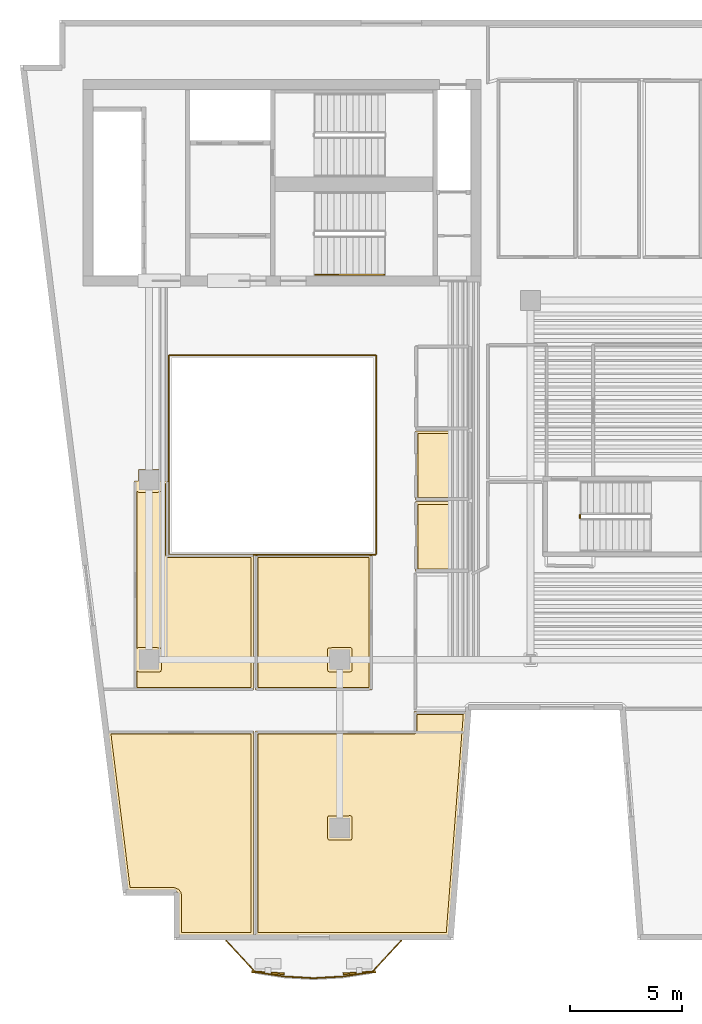
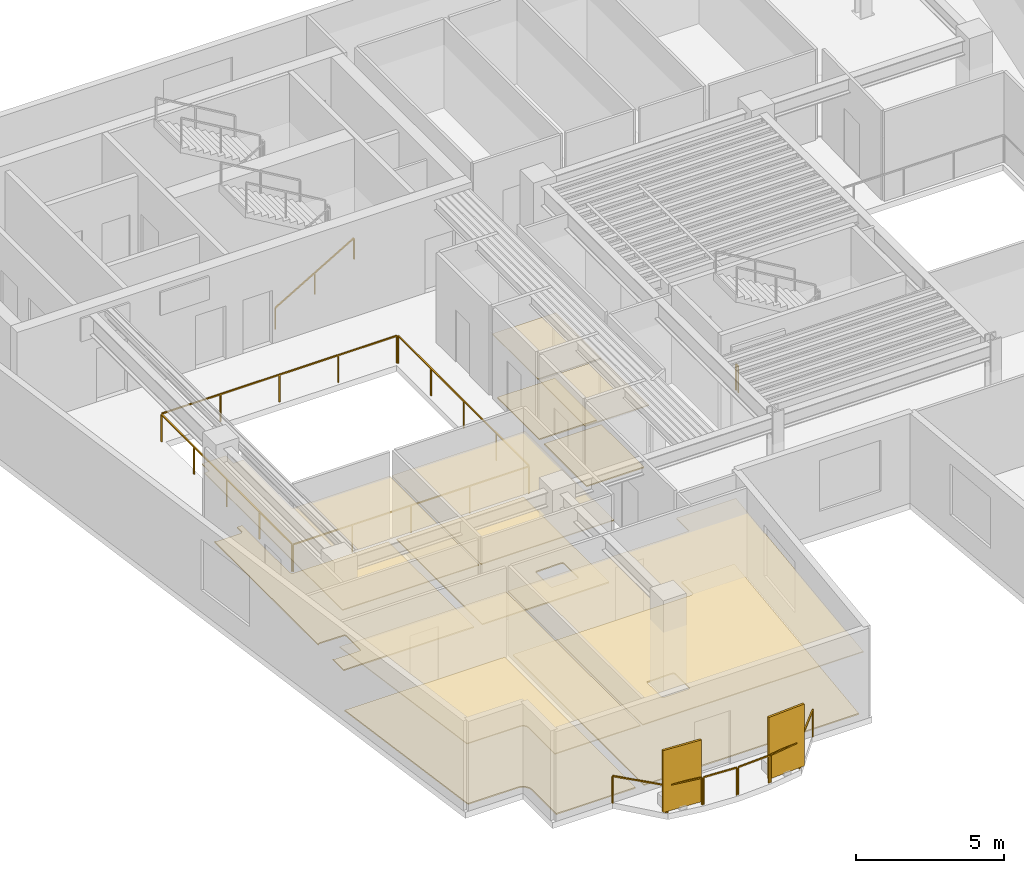
# One storey, part 7 of 9: 12 coverings, 12 railings, 2 shading devices.
"""IFC4 building model written with IfcOpenShell, lengths in metres."""

from ifc_helpers import new_model, si_unit, direction, frame, origin, origin_2d, place, context, subcontext, project, spatial, polyline, rectangle, outline, extrude, material, layer, layer_set, type_object, element, save


model = new_model("IFC4")

# Units and contexts
model_context = context("Model", 3, precision=1e-05, world=origin(), true_north=direction((0.0, 1.0)))
body_context = subcontext(model_context, "Body", "Model", "MODEL_VIEW")
ifc_project = project(units=[si_unit("LENGTHUNIT", "METRE"), si_unit("AREAUNIT", "SQUARE_METRE"), si_unit("VOLUMEUNIT", "CUBIC_METRE"), si_unit("PLANEANGLEUNIT", "RADIAN"), si_unit("MASSUNIT", "GRAM", prefix="KILO")], contexts=[model_context])

# Site, building, storey
site_placement = place(None, origin())
site = spatial("IfcSite", under=ifc_project, at=site_placement, CompositionType="ELEMENT")
building_placement = place(site_placement, origin())
building = spatial("IfcBuilding", under=site, at=building_placement, Name="Caeloran Harvest Quay", CompositionType="ELEMENT")
storey_placement = place(building_placement, frame((0.0, 0.0, 199.550048828125)))
storey = spatial("IfcBuildingStorey", under=building, at=storey_placement, Name="L47", CompositionType="ELEMENT", Elevation=199.550048828125)

# Coverings
ifc_material_1 = material(Name="Perforated Mineral-Fibre Acoustic Ceiling Tile", Category="ceiling")
ifc_layer_1 = layer(ifc_material_1, 0.0400390625, Name="Perforated Mineral-Fibre Acoustic Ceiling Tile")
ifc_layer_set_1 = layer_set([ifc_layer_1], Name="Perforated Mineral-Fibre Acoustic Ceiling Tile")
covering_type_1 = type_object("IfcCoveringType", Name="COV-CEILING-ACOUSTIC", PredefinedType="CEILING", material=ifc_layer_set_1)
covering_1_placement = place(storey_placement, frame((0.0, 0.0, 2.599853515625)))
element("IfcCovering", 1, at=covering_1_placement, inside=storey, type_object=covering_type_1, Name="L47 Female Washroom WC Acoustic Ceiling", PredefinedType="CEILING", context=body_context, shape_type="SweptSolid", body=[
    extrude(outline(polyline([(22.840087890625, 25.18994140625), (22.840087890625, 22.110107421875), (20.360107421875, 22.110107421875), (20.360107421875, 25.18994140625), (22.840087890625, 25.18994140625)])), origin(), (0.0, 0.0, 1.0), 0.0400390625),
])
covering_2_placement = place(storey_placement, frame((0.0, 0.0, 2.599853515625)))
element("IfcCovering", 2, at=covering_2_placement, inside=storey, type_object=covering_type_1, Name="L47 Accessible Unisex Washroom WC Acoustic Ceiling", PredefinedType="CEILING", context=body_context, shape_type="SweptSolid", body=[
    extrude(outline(polyline([(22.840087890625, 22.0400390625), (22.840087890625, 18.919921875), (20.360107421875, 18.919921875), (20.360107421875, 22.0400390625), (22.840087890625, 22.0400390625)])), origin(), (0.0, 0.0, 1.0), 0.0400390625),
])
covering_3_placement = place(storey_placement, frame((0.0, 0.0, 2.599853515625)))
element("IfcCovering", 3, at=covering_3_placement, inside=storey, type_object=covering_type_1, Name="Green-Bond Investment Office Acoustic Ceiling", PredefinedType="CEILING", context=body_context, shape_type="SweptSolid", body=[
    extrude(outline(polyline([(20.31005859375, 12.679931640625), (22.630859375, 12.679931640625), (21.853515625, 2.719970703125), (13.239990234375, 2.719970703125), (13.239990234375, 11.81005859375), (20.31005859375, 11.81005859375), (20.31005859375, 12.679931640625)])), origin(), (0.0, 0.0, 1.0), 0.0400390625),
])
covering_4_placement = place(storey_placement, frame((0.0, 0.0, 2.599853515625)))
element("IfcCovering", 4, at=covering_4_placement, inside=storey, type_object=covering_type_1, Name="ESG Carbon Desk Workspace Acoustic Ceiling", PredefinedType="CEILING", context=body_context, shape_type="SweptSolid", body=[
    extrude(outline(polyline([(9.80615234375, 4.584228515625), (9.742431640625, 4.669921875), (9.62451171875, 4.718994140625), (7.54833984375, 4.719970703125), (6.666015625, 11.81005859375), (13.159912109375, 11.81005859375), (13.159912109375, 2.719970703125), (9.822998046875, 2.719970703125), (9.822998046875, 4.4990234375), (9.80615234375, 4.584228515625)])), origin(), (0.0, 0.0, 1.0), 0.0400390625),
])
covering_5_placement = place(storey_placement, frame((0.0, 0.0, 2.599853515625)))
element("IfcCovering", 5, at=covering_5_placement, inside=storey, type_object=covering_type_1, Name="Executive Partner Office Acoustic Ceiling", PredefinedType="CEILING", context=body_context, shape_type="SweptSolid", body=[
    extrude(outline(polyline([(18.429931640625, 13.639892578125), (13.239990234375, 13.639892578125), (13.239990234375, 19.659912109375), (18.429931640625, 19.659912109375), (18.429931640625, 13.639892578125)])), origin(), (0.0, 0.0, 1.0), 0.0400390625),
])
covering_6_placement = place(storey_placement, frame((0.0, 0.0, 2.599853515625)))
element("IfcCovering", 6, at=covering_6_placement, inside=storey, type_object=covering_type_1, Name="Client Pitch Conference Room Acoustic Ceiling", PredefinedType="CEILING", context=body_context, shape_type="SweptSolid", body=[
    extrude(outline(polyline([(13.159912109375, 13.639892578125), (7.840087890625, 13.639892578125), (7.840087890625, 22.9599609375), (8.030029296875, 22.9599609375), (8.030029296875, 23.469970703125), (8.969970703125, 23.469970703125), (8.969970703125, 22.9599609375), (9.360107421875, 22.9599609375), (9.360107421875, 19.659912109375), (13.159912109375, 19.659912109375), (13.159912109375, 13.639892578125)])), origin(), (0.0, 0.0, 1.0), 0.0400390625),
])
ifc_material_2 = material(Name="Calcium-Sulphate Raised Access Floor and Terrazzo Finish", Category="flooring")
ifc_layer_2 = layer(ifc_material_2, 0.050048828125, Name="Calcium-Sulphate Raised Access Floor and Terrazzo Finish")
ifc_layer_set_2 = layer_set([ifc_layer_2], Name="Calcium-Sulphate Raised Access Floor and Terrazzo Finish")
covering_type_2 = type_object("IfcCoveringType", Name="COV-FLOOR-RAISED", PredefinedType="FLOORING", material=ifc_layer_set_2)
covering_7_placement = place(storey_placement, origin())
element("IfcCovering", 7, at=covering_7_placement, inside=storey, type_object=covering_type_2, Name="L47 Female Washroom WC Raised Finish Flooring", PredefinedType="FLOORING", context=body_context, shape_type="SweptSolid", body=[
    extrude(outline(polyline([(22.719970703125, 25.070068359375), (22.719970703125, 22.22998046875), (20.47998046875, 22.22998046875), (20.47998046875, 25.070068359375), (22.719970703125, 25.070068359375)])), origin(), (0.0, 0.0, 1.0), 0.050048828125),
])
covering_8_placement = place(storey_placement, origin())
element("IfcCovering", 8, at=covering_8_placement, inside=storey, type_object=covering_type_2, Name="L47 Accessible Unisex Washroom WC Raised Finish Flooring", PredefinedType="FLOORING", context=body_context, shape_type="SweptSolid", body=[
    extrude(outline(polyline([(22.719970703125, 21.919921875), (22.719970703125, 19.0400390625), (20.47998046875, 19.0400390625), (20.47998046875, 21.919921875), (22.719970703125, 21.919921875)])), origin(), (0.0, 0.0, 1.0), 0.050048828125),
])
covering_9_placement = place(storey_placement, origin())
element("IfcCovering", 9, at=covering_9_placement, inside=storey, type_object=covering_type_2, Name="Green-Bond Investment Office Raised Finish Flooring", PredefinedType="FLOORING", context=body_context, shape_type="SweptSolid", body=[
    extrude(outline(polyline([(20.34814453125, 11.693603515625), (20.402587890625, 11.727294921875), (20.4296875, 11.793212890625), (20.429931640625, 12.56005859375), (22.501220703125, 12.56005859375), (21.742431640625, 2.840087890625), (13.360107421875, 2.840087890625), (13.360107421875, 11.68994140625), (20.34814453125, 11.693603515625)]), holes=[polyline([(17.465087890625, 8.044921875), (16.484130859375, 8.02685546875), (16.455322265625, 7.972900390625), (16.455078125, 7.034912109375), (16.478515625, 6.978515625), (16.534912109375, 6.955078125), (17.465087890625, 6.955078125), (17.521484375, 6.978515625), (17.544921875, 7.034912109375), (17.544921875, 7.965087890625), (17.521484375, 8.021484375), (17.465087890625, 8.044921875)])]), origin(), (0.0, 0.0, 1.0), 0.050048828125),
])
covering_10_placement = place(storey_placement, origin())
element("IfcCovering", 10, at=covering_10_placement, inside=storey, type_object=covering_type_2, Name="ESG Carbon Desk Workspace Raised Finish Flooring", PredefinedType="FLOORING", context=body_context, shape_type="SweptSolid", body=[
    extrude(outline(polyline([(9.91845703125, 4.62646484375), (9.815673828125, 4.76513671875), (9.63232421875, 4.838623046875), (7.654296875, 4.840087890625), (6.8017578125, 11.68994140625), (13.0400390625, 11.68994140625), (13.0400390625, 2.840087890625), (9.943115234375, 2.840087890625), (9.943115234375, 4.5), (9.91845703125, 4.62646484375)])), origin(), (0.0, 0.0, 1.0), 0.050048828125),
])
covering_11_placement = place(storey_placement, origin())
element("IfcCovering", 11, at=covering_11_placement, inside=storey, type_object=covering_type_2, Name="Executive Partner Office Raised Finish Flooring", PredefinedType="FLOORING", context=body_context, shape_type="SweptSolid", body=[
    extrude(outline(polyline([(18.31005859375, 19.5400390625), (18.31005859375, 13.760009765625), (13.360107421875, 13.760009765625), (13.360107421875, 19.5400390625), (18.31005859375, 19.5400390625)]), holes=[polyline([(17.465087890625, 15.544921875), (16.484130859375, 15.52685546875), (16.455322265625, 15.472900390625), (16.455078125, 14.534912109375), (16.478515625, 14.478515625), (16.534912109375, 14.455078125), (17.465087890625, 14.455078125), (17.521484375, 14.478515625), (17.544921875, 14.534912109375), (17.544921875, 15.465087890625), (17.521484375, 15.521484375), (17.465087890625, 15.544921875)])]), origin(), (0.0, 0.0, 1.0), 0.050048828125),
])
covering_12_placement = place(storey_placement, origin())
element("IfcCovering", 12, at=covering_12_placement, inside=storey, type_object=covering_type_2, Name="Client Pitch Conference Room Raised Finish Flooring", PredefinedType="FLOORING", context=body_context, shape_type="SweptSolid", body=[
    extrude(outline(polyline([(7.9599609375, 14.50732421875), (8.027099609375, 14.455322265625), (8.965087890625, 14.455078125), (9.021484375, 14.478515625), (9.044921875, 14.534912109375), (9.044921875, 15.465087890625), (9.015869140625, 15.52685546875), (8.034912109375, 15.544921875), (7.9599609375, 15.49267578125), (7.9599609375, 22.50732421875), (8.034912109375, 22.455078125), (8.98828125, 22.45849609375), (9.04345703125, 22.519287109375), (9.044921875, 22.840087890625), (9.239990234375, 22.840087890625), (9.239990234375, 19.64990234375), (9.277099609375, 19.5673828125), (9.35009765625, 19.5400390625), (13.0400390625, 19.5400390625), (13.0400390625, 13.760009765625), (7.9599609375, 13.760009765625), (7.9599609375, 14.50732421875)])), origin(), (0.0, 0.0, 1.0), 0.050048828125),
])

# Railings
ifc_material_3 = material(Name="Powder-Coated Steel Post and Laminated Glass Guardrail", Category="steel")
ifc_layer_3 = layer(ifc_material_3, 0.06005859375, Name="Powder-Coated Steel Post and Laminated Glass Guardrail")
ifc_layer_set_3 = layer_set([ifc_layer_3], Name="Powder-Coated Steel Post and Laminated Glass Guardrail")
railing_type_1 = type_object("IfcRailingType", Name="GUARD-ATRIUM-1150", PredefinedType="GUARDRAIL", material=ifc_layer_set_3)
railing_1_placement = place(storey_placement, frame((9.412109375, 19.679931640625, 0.0)))
element("IfcRailing", 13, at=railing_1_placement, inside=storey, type_object=railing_type_1, Name="L47 Skylit Atrium Void Perimeter Guardrail Seg 1", PredefinedType="GUARDRAIL", context=body_context, shape_type="SweptSolid", body=[
    extrude(rectangle(XDim=0.048095703125, YDim=0.048095703125, at=origin_2d()), frame((0.0, 0.0, 1.1259765625), z_axis=(1.0, 0.0, 0.0), x_axis=(0.0, 1.0, 0.0)), (0.0, 0.0, 1.0), 9.17578125),
    extrude(rectangle(XDim=0.0419921875, YDim=0.0419921875, at=origin_2d()), origin(), (0.0, 0.0, 1.0), 1.101806640625),
    extrude(rectangle(XDim=0.0419921875, YDim=0.0419921875, at=origin_2d()), frame((2.2939453125, 0.0, 0.0)), (0.0, 0.0, 1.0), 1.101806640625),
    extrude(rectangle(XDim=0.0419921875, YDim=0.0419921875, at=origin_2d()), frame((4.587890625, 0.0, 0.0)), (0.0, 0.0, 1.0), 1.101806640625),
    extrude(rectangle(XDim=0.0419921875, YDim=0.0419921875, at=origin_2d()), frame((6.8818359375, 0.0, 0.0)), (0.0, 0.0, 1.0), 1.101806640625),
    extrude(rectangle(XDim=0.0419921875, YDim=0.0419921875, at=origin_2d()), frame((9.17578125, 0.0, 0.0)), (0.0, 0.0, 1.0), 1.101806640625),
])
railing_2_placement = place(storey_placement, frame((18.6201171875, 19.7119140625, 0.0)))
element("IfcRailing", 14, at=railing_2_placement, inside=storey, type_object=railing_type_1, Name="L47 Skylit Atrium Void Perimeter Guardrail Seg 2", PredefinedType="GUARDRAIL", context=body_context, shape_type="SweptSolid", body=[
    extrude(rectangle(XDim=0.048095703125, YDim=0.048095703125, at=origin_2d()), frame((0.0, 0.0, 1.1259765625), z_axis=(0.0, 1.0, 0.0), x_axis=(-1.0, 0.0, 0.0)), (0.0, 0.0, 1.0), 8.826171875),
    extrude(rectangle(XDim=0.0419921875, YDim=0.0419921875, at=origin_2d()), origin(), (0.0, 0.0, 1.0), 1.101806640625),
    extrude(rectangle(XDim=0.0419921875, YDim=0.0419921875, at=origin_2d()), frame((0.0, 2.20654296875, 0.0)), (0.0, 0.0, 1.0), 1.101806640625),
    extrude(rectangle(XDim=0.0419921875, YDim=0.0419921875, at=origin_2d()), frame((0.0, 4.4130859375, 0.0)), (0.0, 0.0, 1.0), 1.101806640625),
    extrude(rectangle(XDim=0.0419921875, YDim=0.0419921875, at=origin_2d()), frame((0.0, 6.61962890625, 0.0)), (0.0, 0.0, 1.0), 1.101806640625),
    extrude(rectangle(XDim=0.0419921875, YDim=0.0419921875, at=origin_2d()), frame((0.0, 8.826171875, 0.0)), (0.0, 0.0, 1.0), 1.101806640625),
])
railing_3_placement = place(storey_placement, frame((18.587890625, 28.570068359375, 0.0)))
element("IfcRailing", 15, at=railing_3_placement, inside=storey, type_object=railing_type_1, Name="L47 Skylit Atrium Void Perimeter Guardrail Seg 3", PredefinedType="GUARDRAIL", context=body_context, shape_type="SweptSolid", body=[
    extrude(rectangle(XDim=0.048095703125, YDim=0.048095703125, at=origin_2d()), frame((0.0, 0.0, 1.1259765625), z_axis=(-1.0, 0.0, 0.0), x_axis=(0.0, -1.0, 0.0)), (0.0, 0.0, 1.0), 9.17578125),
    extrude(rectangle(XDim=0.0419921875, YDim=0.0419921875, at=origin_2d()), origin(), (0.0, 0.0, 1.0), 1.101806640625),
    extrude(rectangle(XDim=0.0419921875, YDim=0.0419921875, at=origin_2d()), frame((-2.2939453125, 0.0, 0.0)), (0.0, 0.0, 1.0), 1.101806640625),
    extrude(rectangle(XDim=0.0419921875, YDim=0.0419921875, at=origin_2d()), frame((-4.587890625, 0.0, 0.0)), (0.0, 0.0, 1.0), 1.101806640625),
    extrude(rectangle(XDim=0.0419921875, YDim=0.0419921875, at=origin_2d()), frame((-6.8818359375, 0.0, 0.0)), (0.0, 0.0, 1.0), 1.101806640625),
    extrude(rectangle(XDim=0.0419921875, YDim=0.0419921875, at=origin_2d()), frame((-9.17578125, 0.0, 0.0)), (0.0, 0.0, 1.0), 1.101806640625),
])
railing_4_placement = place(storey_placement, frame((9.3798828125, 28.5380859375, 0.0)))
element("IfcRailing", 16, at=railing_4_placement, inside=storey, type_object=railing_type_1, Name="L47 Skylit Atrium Void Perimeter Guardrail Seg 4", PredefinedType="GUARDRAIL", context=body_context, shape_type="SweptSolid", body=[
    extrude(rectangle(XDim=0.048095703125, YDim=0.048095703125, at=origin_2d()), frame((0.0, 0.0, 1.1259765625), z_axis=(0.0, -1.0, 0.0), x_axis=(1.0, 0.0, 0.0)), (0.0, 0.0, 1.0), 8.826171875),
    extrude(rectangle(XDim=0.0419921875, YDim=0.0419921875, at=origin_2d()), origin(), (0.0, 0.0, 1.0), 1.101806640625),
    extrude(rectangle(XDim=0.0419921875, YDim=0.0419921875, at=origin_2d()), frame((0.0, -2.20654296875, 0.0)), (0.0, 0.0, 1.0), 1.101806640625),
    extrude(rectangle(XDim=0.0419921875, YDim=0.0419921875, at=origin_2d()), frame((0.0, -4.4130859375, 0.0)), (0.0, 0.0, 1.0), 1.101806640625),
    extrude(rectangle(XDim=0.0419921875, YDim=0.0419921875, at=origin_2d()), frame((0.0, -6.61962890625, 0.0)), (0.0, 0.0, 1.0), 1.101806640625),
    extrude(rectangle(XDim=0.0419921875, YDim=0.0419921875, at=origin_2d()), frame((0.0, -8.826171875, 0.0)), (0.0, 0.0, 1.0), 1.101806640625),
])
ifc_material_4 = material(Name="Laminated Safety Glass and Stainless Steel 316", Category="steel")
ifc_layer_4 = layer(ifc_material_4, 0.06005859375, Name="Laminated Safety Glass and Stainless Steel 316")
ifc_layer_set_4 = layer_set([ifc_layer_4], Name="Laminated Safety Glass and Stainless Steel 316")
railing_type_2 = type_object("IfcRailingType", Name="GUARD-BALUSTRADE-1150", PredefinedType="BALUSTRADE", material=ifc_layer_set_4)
railing_5_placement = place(storey_placement, frame((19.73974609375, 2.47998046875, 0.0)))
element("IfcRailing", 17, at=railing_5_placement, inside=storey, type_object=railing_type_2, Name="L47 Planted Balcony Perimeter Balustrade Guard Seg 1", PredefinedType="BALUSTRADE", context=body_context, shape_type="SweptSolid", body=[
    extrude(rectangle(XDim=0.048095703125, YDim=0.048095703125, at=origin_2d()), frame((0.0, 0.0, 1.1259765625), z_axis=(-0.681632266254, -0.731694918392, 0.0), x_axis=(0.731694918392, -0.681632266254, 0.0)), (0.0, 0.0, 1.0), 1.87744140625),
    extrude(rectangle(XDim=0.0419921875, YDim=0.0419921875, at=origin_2d()), origin(), (0.0, 0.0, 1.0), 1.101806640625),
    extrude(rectangle(XDim=0.0419921875, YDim=0.0419921875, at=origin_2d()), frame((-1.27978515625, -1.373779296875, 0.0)), (0.0, 0.0, 1.0), 1.101806640625),
])
railing_6_placement = place(storey_placement, frame((18.406494140625, 1.077880859375, 0.0)))
element("IfcRailing", 18, at=railing_6_placement, inside=storey, type_object=railing_type_2, Name="L47 Planted Balcony Perimeter Balustrade Guard Seg 2", PredefinedType="BALUSTRADE", context=body_context, shape_type="SweptSolid", body=[
    extrude(rectangle(XDim=0.048095703125, YDim=0.048095703125, at=origin_2d()), frame((0.0, 0.0, 1.1259765625), z_axis=(-0.988056562132, -0.154091628676, 0.0), x_axis=(0.154091628676, -0.988056562132, 0.0)), (0.0, 0.0, 1.0), 1.253173828125),
    extrude(rectangle(XDim=0.0419921875, YDim=0.0419921875, at=origin_2d()), origin(), (0.0, 0.0, 1.0), 1.101806640625),
    extrude(rectangle(XDim=0.0419921875, YDim=0.0419921875, at=origin_2d()), frame((-1.23828125, -0.193115234375, 0.0)), (0.0, 0.0, 1.0), 1.101806640625),
])
railing_7_placement = place(storey_placement, frame((17.1044921875, 0.878173828125, 0.0)))
element("IfcRailing", 19, at=railing_7_placement, inside=storey, type_object=railing_type_2, Name="L47 Planted Balcony Perimeter Balustrade Guard Seg 3", PredefinedType="BALUSTRADE", context=body_context, shape_type="SweptSolid", body=[
    extrude(rectangle(XDim=0.048095703125, YDim=0.048095703125, at=origin_2d()), frame((0.0, 0.0, 1.1259765625), z_axis=(-0.998379335931, -0.056909591338, 0.0), x_axis=(0.056909591338, -0.998379335931, 0.0)), (0.0, 0.0, 1.0), 1.23974609375),
    extrude(rectangle(XDim=0.0419921875, YDim=0.0419921875, at=origin_2d()), origin(), (0.0, 0.0, 1.0), 1.101806640625),
    extrude(rectangle(XDim=0.0419921875, YDim=0.0419921875, at=origin_2d()), frame((-1.23779296875, -0.070556640625, 0.0)), (0.0, 0.0, 1.0), 1.101806640625),
])
railing_8_placement = place(storey_placement, frame((15.802978515625, 0.8076171875, 0.0)))
element("IfcRailing", 20, at=railing_8_placement, inside=storey, type_object=railing_type_2, Name="L47 Planted Balcony Perimeter Balustrade Guard Seg 4", PredefinedType="BALUSTRADE", context=body_context, shape_type="SweptSolid", body=[
    extrude(rectangle(XDim=0.048095703125, YDim=0.048095703125, at=origin_2d()), frame((0.0, 0.0, 1.1259765625), z_axis=(-0.998379973505, 0.056898405116, 0.0), x_axis=(-0.056898405116, -0.998379973505, 0.0)), (0.0, 0.0, 1.0), 1.239990234375),
    extrude(rectangle(XDim=0.0419921875, YDim=0.0419921875, at=origin_2d()), origin(), (0.0, 0.0, 1.0), 1.101806640625),
    extrude(rectangle(XDim=0.0419921875, YDim=0.0419921875, at=origin_2d()), frame((-1.238037109375, 0.070556640625, 0.0)), (0.0, 0.0, 1.0), 1.101806640625),
])
railing_9_placement = place(storey_placement, frame((14.50146484375, 0.884765625, 0.0)))
element("IfcRailing", 21, at=railing_9_placement, inside=storey, type_object=railing_type_2, Name="L47 Planted Balcony Perimeter Balustrade Guard Seg 5", PredefinedType="BALUSTRADE", context=body_context, shape_type="SweptSolid", body=[
    extrude(rectangle(XDim=0.048095703125, YDim=0.048095703125, at=origin_2d()), frame((0.0, 0.0, 1.1259765625), z_axis=(-0.988056562132, 0.154091628676, 0.0), x_axis=(-0.154091628676, -0.988056562132, 0.0)), (0.0, 0.0, 1.0), 1.253173828125),
    extrude(rectangle(XDim=0.0419921875, YDim=0.0419921875, at=origin_2d()), origin(), (0.0, 0.0, 1.0), 1.101806640625),
    extrude(rectangle(XDim=0.0419921875, YDim=0.0419921875, at=origin_2d()), frame((-1.23828125, 0.193115234375, 0.0)), (0.0, 0.0, 1.0), 1.101806640625),
])
railing_10_placement = place(storey_placement, frame((13.209716796875, 1.106201171875, 0.0)))
element("IfcRailing", 22, at=railing_10_placement, inside=storey, type_object=railing_type_2, Name="L47 Planted Balcony Perimeter Balustrade Guard Seg 6", PredefinedType="BALUSTRADE", context=body_context, shape_type="SweptSolid", body=[
    extrude(rectangle(XDim=0.048095703125, YDim=0.048095703125, at=origin_2d()), frame((0.0, 0.0, 1.1259765625), z_axis=(-0.681701873662, 0.731630067346, 0.0), x_axis=(-0.731630067346, -0.681701873662, 0.0)), (0.0, 0.0, 1.0), 1.877685546875),
    extrude(rectangle(XDim=0.0419921875, YDim=0.0419921875, at=origin_2d()), origin(), (0.0, 0.0, 1.0), 1.101806640625),
    extrude(rectangle(XDim=0.0419921875, YDim=0.0419921875, at=origin_2d()), frame((-1.280029296875, 1.373779296875, 0.0)), (0.0, 0.0, 1.0), 1.101806640625),
])

# Shading devices
ifc_material_5 = material(Name="3003-H14 Perforated Powder-Coated Aluminium", Category="aluminium")
shading_device_type = type_object("IfcShadingDeviceType", Name="SHADE-SCREEN-FOLDED", PredefinedType="USERDEFINED", material=ifc_material_5)
for number, where, z_axis, x_axis, name in (
    (23, (17.865478515625, 1.04638671875, 0.07470703125), (0.0, 0.0, 1.0), (0.997801468292, 0.0662739004, 0.0), "L47 Folded Facade Breathing Screen 1"),
    (24, (13.80419921875, 1.04638671875, 0.07470703125), (0.0, 0.0, 1.0), (0.997801468292, -0.0662739004, 0.0), "L47 Folded Facade Breathing Screen 2"),
):
    element("IfcShadingDevice", number, at=place(storey_placement, frame(where, z_axis=z_axis, x_axis=x_axis)), inside=storey, type_object=shading_device_type, Name=name, ObjectType="SCREEN", PredefinedType="USERDEFINED", context=body_context, shape_type="SweptSolid", body=[
        extrude(rectangle(XDim=1.449951171875, YDim=0.080078125, at=origin_2d()), origin(), (0.0, 0.0, 1.0), 2.550048828125),
    ])

# Railings
ifc_material_6 = material(Name="Painted Steel Baluster and Top-Rail Stair Guard", Category="steel")
ifc_layer_5 = layer(ifc_material_6, 0.050048828125, Name="Painted Steel Baluster and Top-Rail Stair Guard")
ifc_layer_set_5 = layer_set([ifc_layer_5], Name="Painted Steel Baluster and Top-Rail Stair Guard")
railing_type_3 = type_object("IfcRailingType", Name="STAIR-GUARD-1100", PredefinedType="GUARDRAIL", material=ifc_layer_set_5)
railing_11_placement = place(storey_placement, frame((27.699951171875, 21.300048828125, 0.0)))
element("IfcRailing", 25, at=railing_11_placement, inside=storey, type_object=railing_type_3, Name="L47 ST-W1 stair guard 4", PredefinedType="GUARDRAIL", context=body_context, shape_type="SweptSolid", body=[
    extrude(rectangle(XDim=0.048095703125, YDim=0.048095703125, at=origin_2d()), frame((0.0, 0.0, 1.076171875), z_axis=(0.0, 1.0, 0.0), x_axis=(-1.0, 0.0, 0.0)), (0.0, 0.0, 1.0), 0.14990234375),
    extrude(rectangle(XDim=0.0419921875, YDim=0.0419921875, at=origin_2d()), origin(), (0.0, 0.0, 1.0), 1.052001953125),
    extrude(rectangle(XDim=0.0419921875, YDim=0.0419921875, at=origin_2d()), frame((0.0, 0.14990234375, 0.0)), (0.0, 0.0, 1.0), 1.052001953125),
])
ifc_material_7 = material(Name="Brushed Stainless Steel Grade 304", Category="steel")
ifc_layer_6 = layer(ifc_material_7, 0.050048828125, Name="Brushed Stainless Steel Grade 304")
ifc_layer_set_6 = layer_set([ifc_layer_6], Name="Brushed Stainless Steel Grade 304")
railing_type_4 = type_object("IfcRailingType", Name="STAIR-HANDRAIL-900", PredefinedType="HANDRAIL", material=ifc_layer_set_6)
railing_12_placement = place(storey_placement, frame((15.89990234375, 32.14990234375, 0.16455078125)))
element("IfcRailing", 26, at=railing_12_placement, inside=storey, type_object=railing_type_4, Name="L47 ST-C2 stair handrail 1", PredefinedType="HANDRAIL", context=body_context, shape_type="SweptSolid", body=[
    extrude(rectangle(XDim=0.048095703125, YDim=0.048095703125, at=origin_2d()), frame((0.0, 0.0, 0.8759765625), z_axis=(0.862118610829, 0.0, 0.506706523406), x_axis=(0.0, 1.0, 0.0)), (0.0, 0.0, 1.0), 3.57275390625),
    extrude(rectangle(XDim=0.0419921875, YDim=0.0419921875, at=origin_2d()), origin(), (0.0, 0.0, 1.0), 0.851806640625),
    extrude(rectangle(XDim=0.0419921875, YDim=0.0419921875, at=origin_2d()), frame((1.5400390625, 0.0, 0.9052734375)), (0.0, 0.0, 1.0), 0.851806640625),
    extrude(rectangle(XDim=0.0419921875, YDim=0.0419921875, at=origin_2d()), frame((3.080078125, 0.0, 1.810302734375)), (0.0, 0.0, 1.0), 0.851806640625),
])

save(model, "model.ifc")
